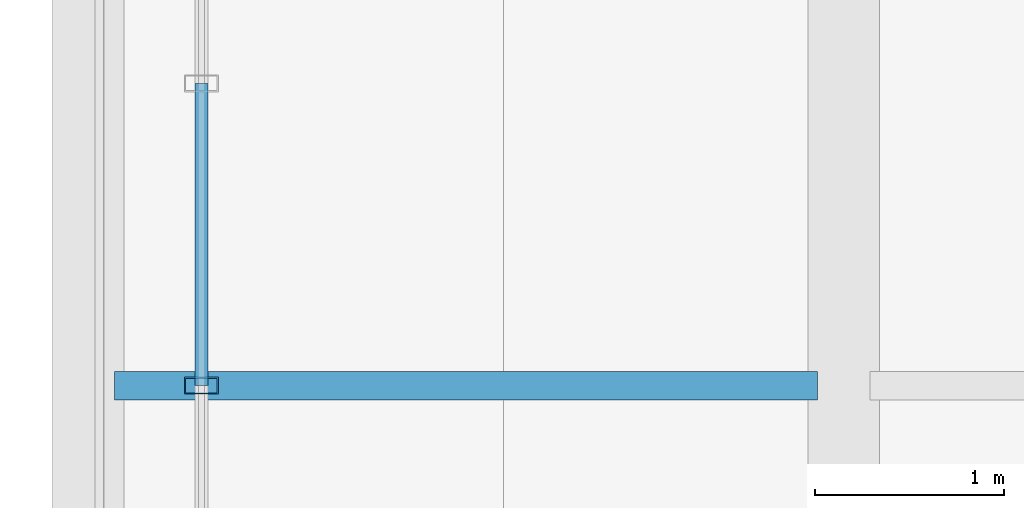
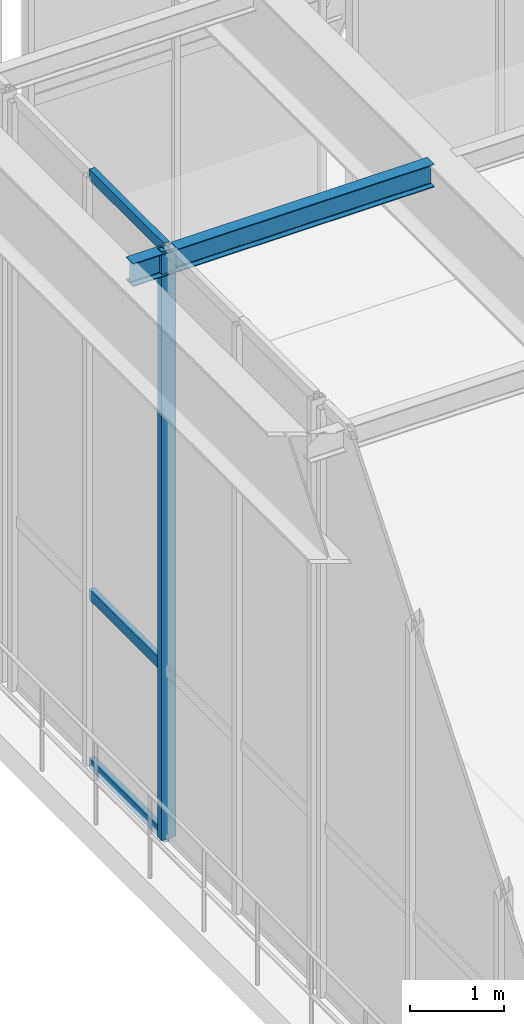
# One storey, part 24 of 138: 4 members, 1 beam, 1 element without a shape of its own.
"""IFC4 building model written with IfcOpenShell, lengths in metres."""

from ifc_helpers import new_model, si_unit, direction, frame, origin, origin_2d, place, context, subcontext, project, spatial, hollow_rectangle, i_section, extrude, material, material_profile, profile_set, type_object, element, aggregate, save


model = new_model("IFC4")

# Units and contexts
model_context = context("Model", 3, precision=1e-05, world=origin(), true_north=direction((0.0, 1.0)))
body_context = subcontext(model_context, "Body", "Model", "MODEL_VIEW")
ifc_project = project(units=[si_unit("LENGTHUNIT", "METRE"), si_unit("AREAUNIT", "SQUARE_METRE"), si_unit("VOLUMEUNIT", "CUBIC_METRE"), si_unit("PLANEANGLEUNIT", "RADIAN"), si_unit("MASSUNIT", "GRAM", prefix="KILO")], contexts=[model_context])

# Site, building, storey
site_placement = place(None, origin())
site = spatial("IfcSite", under=ifc_project, at=site_placement, CompositionType="ELEMENT")
building_placement = place(site_placement, origin())
building = spatial("IfcBuilding", under=site, at=building_placement, Name="Sundkrona Museum", CompositionType="ELEMENT")
storey_placement = place(building_placement, frame((0.0, 0.0, 9.60009765625)))
storey = spatial("IfcBuildingStorey", under=building, at=storey_placement, Name="L02", CompositionType="ELEMENT", Elevation=9.60009765625)

# Beam
ifc_material_1 = material(Name="Steel S355J2", Category="steel")
ifc_material_profile_1 = material_profile(ifc_material_1, i_section(OverallWidth=0.14990234375, OverallDepth=0.300048828125, WebThickness=0.007080078125, FlangeThickness=0.0107421875, FilletRadius=0.014892578125, at=origin_2d()), Name="IPE 300")
ifc_profile_set_1 = profile_set([ifc_material_profile_1], Name="Steel S355J2")
beam_type = type_object("IfcBeamType", Name="J-IPE300", PredefinedType="JOIST", material=ifc_profile_set_1)
beam_placement = place(storey_placement, frame((4.139892578125, 43.0, 7.52490234375), z_axis=(1.0, 0.0, 0.0), x_axis=(0.0, 1.0, 0.0)))
element("IfcBeam", 1, at=beam_placement, inside=storey, type_object=beam_type, Name="L02 Cantilever Floor Joist", PredefinedType="JOIST", context=body_context, shape_type="SweptSolid", body=[
    extrude(i_section(OverallWidth=0.14990234375, OverallDepth=0.300048828125, WebThickness=0.007080078125, FlangeThickness=0.0107421875, FilletRadius=0.014892578125, at=origin_2d()), origin(), (0.0, 0.0, 1.0), 3.72021484375),
])

# Curtain wall, members
ifc_material_2 = material(Name="Unitised Aluminium-Steel and Ceramic-Clad Curtain Walling", Category="steel")
curtain_wall_type = type_object("IfcCurtainWallType", Name="CW-CV-68x74", PredefinedType="NOTDEFINED", material=ifc_material_2)
curtain_wall_placement = place(storey_placement, origin())
curtain_wall = element("IfcCurtainWall", 2, at=curtain_wall_placement, inside=storey, type_object=curtain_wall_type, Name="L02 Curtain Wall CW-CV-TIP-L02-39", PredefinedType="NOTDEFINED")
ifc_material_3 = material(Name="Aluminium EN AW-6060 T66", Category="aluminium")
ifc_material_profile_2 = material_profile(ifc_material_3, hollow_rectangle(XDim=0.090087890625, YDim=0.179931640625, WallThickness=0.00634765625, at=origin_2d()), Name="RHS 180x90x6.3")
ifc_profile_set_2 = profile_set([ifc_material_profile_2], Name="Aluminium EN AW-6060 T66")
member_type_1 = type_object("IfcMemberType", Name="ML-180", PredefinedType="MULLION", material=ifc_profile_set_2)
member_1_placement = place(storey_placement, frame((4.60009765625, 43.0, -0.004150390625), z_axis=(0.0, 0.0, 1.0), x_axis=(0.0, 1.0, 0.0)))
member_1 = element("IfcMember", 3, at=member_1_placement, type_object=member_type_1, Name="CW-CV-TIP-L02-39 Mullion 03", PredefinedType="MULLION", context=body_context, shape_type="SweptSolid", body=[
    extrude(hollow_rectangle(XDim=0.090087890625, YDim=0.179931640625, WallThickness=0.00634765625, at=origin_2d()), origin(), (0.0, 0.0, 1.0), 7.68310546875),
])
ifc_material_profile_3 = material_profile(ifc_material_3, hollow_rectangle(XDim=0.070068359375, YDim=0.139892578125, WallThickness=0.0048828125, at=origin_2d()), Name="RHS 140x70x5.0")
ifc_profile_set_3 = profile_set([ifc_material_profile_3], Name="Aluminium EN AW-6060 T66")
member_type_2 = type_object("IfcMemberType", Name="TR-140", PredefinedType="USERDEFINED", material=ifc_profile_set_3)
member_2_placement = place(storey_placement, frame((4.60009765625, 43.0, -0.004150390625), z_axis=(0.0, 1.0, 0.0), x_axis=(-1.0, 0.0, 0.0)))
member_2 = element("IfcMember", 4, at=member_2_placement, type_object=member_type_2, Name="CW-CV-TIP-L02-39 Transom 07", ObjectType="TRANSOM", PredefinedType="USERDEFINED", context=body_context, shape_type="SweptSolid", body=[
    extrude(hollow_rectangle(XDim=0.070068359375, YDim=0.139892578125, WallThickness=0.0048828125, at=origin_2d()), origin(), (0.0, 0.0, 1.0), 1.60009765625),
])
member_3_placement = place(storey_placement, frame((4.60009765625, 43.0, 2.199951171875), z_axis=(0.0, 1.0, 0.0), x_axis=(-1.0, 0.0, 0.0)))
member_3 = element("IfcMember", 5, at=member_3_placement, type_object=member_type_2, Name="CW-CV-TIP-L02-39 Transom 08", ObjectType="TRANSOM", PredefinedType="USERDEFINED", context=body_context, shape_type="SweptSolid", body=[
    extrude(hollow_rectangle(XDim=0.070068359375, YDim=0.139892578125, WallThickness=0.0048828125, at=origin_2d()), origin(), (0.0, 0.0, 1.0), 1.60009765625),
])
member_4_placement = place(storey_placement, frame((4.60009765625, 43.0, 7.678955078125), z_axis=(0.0, 1.0, 0.0), x_axis=(-1.0, 0.0, 0.0)))
member_4 = element("IfcMember", 6, at=member_4_placement, type_object=member_type_2, Name="CW-CV-TIP-L02-39 Transom 09", ObjectType="TRANSOM", PredefinedType="USERDEFINED", context=body_context, shape_type="SweptSolid", body=[
    extrude(hollow_rectangle(XDim=0.070068359375, YDim=0.139892578125, WallThickness=0.0048828125, at=origin_2d()), origin(), (0.0, 0.0, 1.0), 1.60009765625),
])
aggregate(curtain_wall, [member_1, member_2, member_3, member_4])

save(model, "model.ifc")
